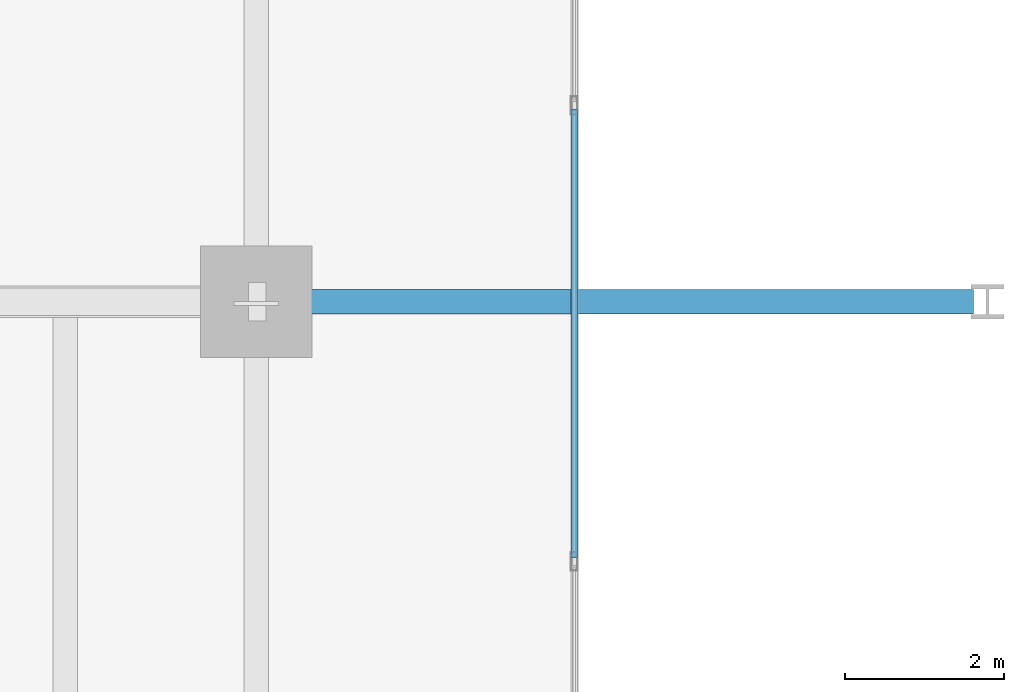
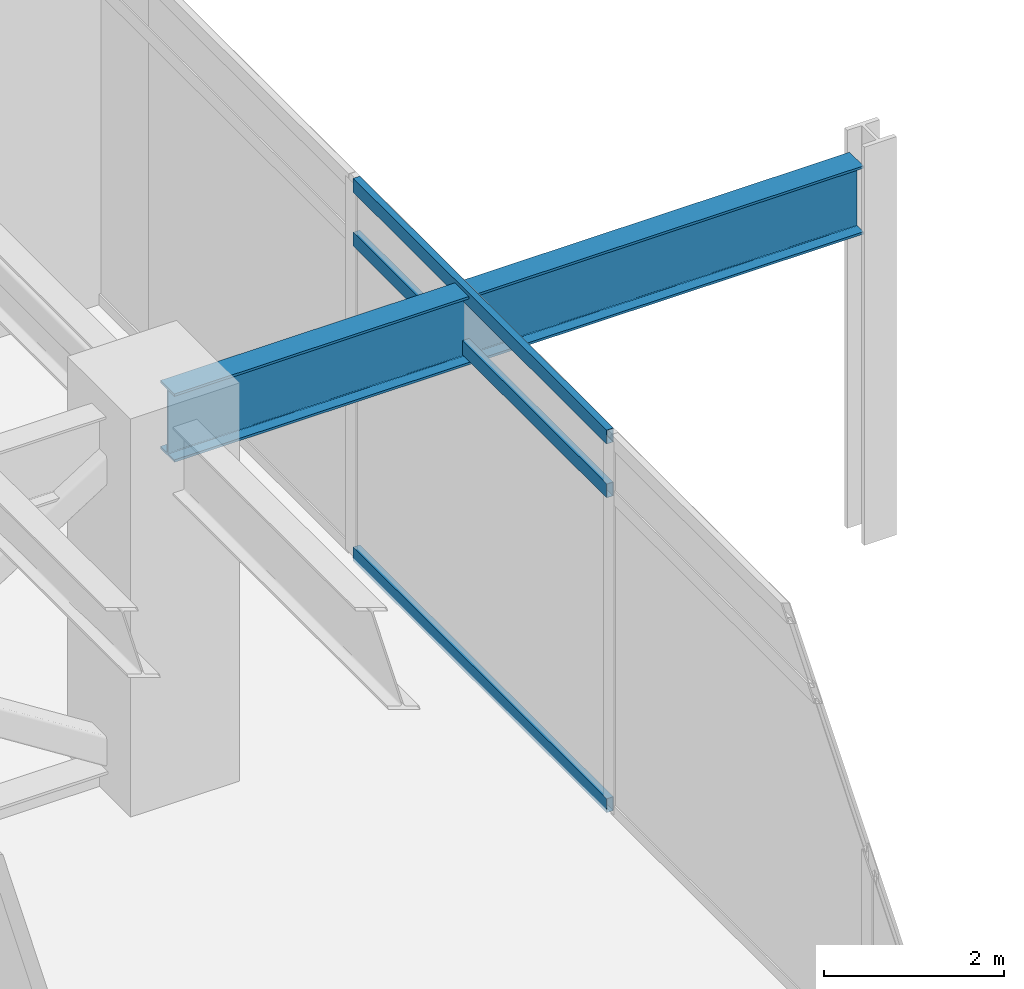
# One storey, part 11 of 21: 3 members, 1 beam, 1 element without a shape of its own.
"""IFC4 building model written with IfcOpenShell, lengths in metres."""

from ifc_helpers import new_model, si_unit, direction, frame, origin, origin_2d, place, context, subcontext, project, spatial, hollow_rectangle, i_section, extrude, material, material_profile, profile_set, type_object, element, aggregate, save


model = new_model("IFC4")

# Units and contexts
model_context = context("Model", 3, precision=1e-05, world=origin(), true_north=direction((0.0, 1.0)))
body_context = subcontext(model_context, "Body", "Model", "MODEL_VIEW")
ifc_project = project(units=[si_unit("LENGTHUNIT", "METRE"), si_unit("AREAUNIT", "SQUARE_METRE"), si_unit("VOLUMEUNIT", "CUBIC_METRE"), si_unit("PLANEANGLEUNIT", "RADIAN"), si_unit("MASSUNIT", "GRAM", prefix="KILO")], contexts=[model_context])

# Site, building, storey
site_placement = place(None, origin())
site = spatial("IfcSite", under=ifc_project, at=site_placement, CompositionType="ELEMENT")
building_placement = place(site_placement, origin())
building = spatial("IfcBuilding", under=site, at=building_placement, Name="Kovane Verandah Tower", CompositionType="ELEMENT")
storey_placement = place(building_placement, frame((0.0, 0.0, 189.39990234375)))
storey = spatial("IfcBuildingStorey", under=building, at=storey_placement, Name="L44", CompositionType="ELEMENT", Elevation=189.39990234375)

# Beam
ifc_material_1 = material(Name="Steel S460", Category="steel")
ifc_material_profile_1 = material_profile(ifc_material_1, i_section(OverallWidth=0.3076171875, OverallDepth=0.926513671875, WebThickness=0.01953125, FlangeThickness=0.031982421875, FilletRadius=0.01904296875, at=origin_2d()), Name="UB914x305x289")
ifc_profile_set_1 = profile_set([ifc_material_profile_1], Name="Steel S460")
beam_type = type_object("IfcBeamType", Name="BM-UB914x289", PredefinedType="BEAM", material=ifc_profile_set_1)
beam_placement = place(storey_placement, frame((58.580078125, 36.5, 4.63671875), z_axis=(1.0, 0.0, 0.0), x_axis=(0.0, 1.0, 0.0)))
element("IfcBeam", 1, at=beam_placement, inside=storey, type_object=beam_type, Name="L44 Primary Tower Girder G-VE2", PredefinedType="BEAM", context=body_context, shape_type="SweptSolid", body=[
    extrude(i_section(OverallWidth=0.3076171875, OverallDepth=0.926513671875, WebThickness=0.01953125, FlangeThickness=0.031982421875, FilletRadius=0.01904296875, at=origin_2d()), origin(), (0.0, 0.0, 1.0), 8.83984375),
])

# Curtain wall, members
ifc_material_2 = material(Name="Champagne Anodised Aluminium Frame with Low-E Clear Laminated Glass", Category="aluminium")
curtain_wall_type = type_object("IfcCurtainWallType", Name="CW-SYS-04-WAIST", PredefinedType="NOTDEFINED", material=ifc_material_2)
curtain_wall_placement = place(storey_placement, origin())
curtain_wall = element("IfcCurtainWall", 2, at=curtain_wall_placement, inside=storey, type_object=curtain_wall_type, Name="L44 E Unitised Curtain Wall", PredefinedType="NOTDEFINED")
ifc_material_3 = material(Name="Champagne Anodised Aluminium 6063-T6", Category="aluminium")
ifc_material_profile_2 = material_profile(ifc_material_3, hollow_rectangle(XDim=0.0849609375, YDim=0.18994140625, WallThickness=0.00390625, at=origin_2d()), Name="AL85x190x4")
ifc_profile_set_2 = profile_set([ifc_material_profile_2], Name="Champagne Anodised Aluminium 6063-T6")
member_type = type_object("IfcMemberType", Name="CW-TRN-85x190", PredefinedType="USERDEFINED", material=ifc_profile_set_2)
member_1_placement = place(storey_placement, frame((62.39990234375, 33.283203125, 0.050048828125), z_axis=(0.0, 1.0, 0.0), x_axis=(-1.0, 0.0, 0.0)))
member_1 = element("IfcMember", 3, at=member_1_placement, type_object=member_type, Name="L44 E Unitised Curtain Wall Transom TB Bay 5", ObjectType="TRANSOM", PredefinedType="USERDEFINED", context=body_context, shape_type="SweptSolid", body=[
    extrude(hollow_rectangle(XDim=0.0849609375, YDim=0.18994140625, WallThickness=0.00390625, at=origin_2d()), origin(), (0.0, 0.0, 1.0), 5.633544921875),
])
member_2_placement = place(storey_placement, frame((62.39990234375, 33.283203125, 4.320068359375), z_axis=(0.0, 1.0, 0.0), x_axis=(-1.0, 0.0, 0.0)))
member_2 = element("IfcMember", 4, at=member_2_placement, type_object=member_type, Name="L44 E Unitised Curtain Wall Transom TM Bay 5", ObjectType="TRANSOM", PredefinedType="USERDEFINED", context=body_context, shape_type="SweptSolid", body=[
    extrude(hollow_rectangle(XDim=0.0849609375, YDim=0.18994140625, WallThickness=0.00390625, at=origin_2d()), origin(), (0.0, 0.0, 1.0), 5.633544921875),
])
member_3_placement = place(storey_placement, frame((62.39990234375, 33.283203125, 5.050048828125), z_axis=(0.0, 1.0, 0.0), x_axis=(-1.0, 0.0, 0.0)))
member_3 = element("IfcMember", 5, at=member_3_placement, type_object=member_type, Name="L44 E Unitised Curtain Wall Transom TT Bay 5", ObjectType="TRANSOM", PredefinedType="USERDEFINED", context=body_context, shape_type="SweptSolid", body=[
    extrude(hollow_rectangle(XDim=0.0849609375, YDim=0.18994140625, WallThickness=0.00390625, at=origin_2d()), origin(), (0.0, 0.0, 1.0), 5.633544921875),
])
aggregate(curtain_wall, [member_1, member_2, member_3])

save(model, "model.ifc")
